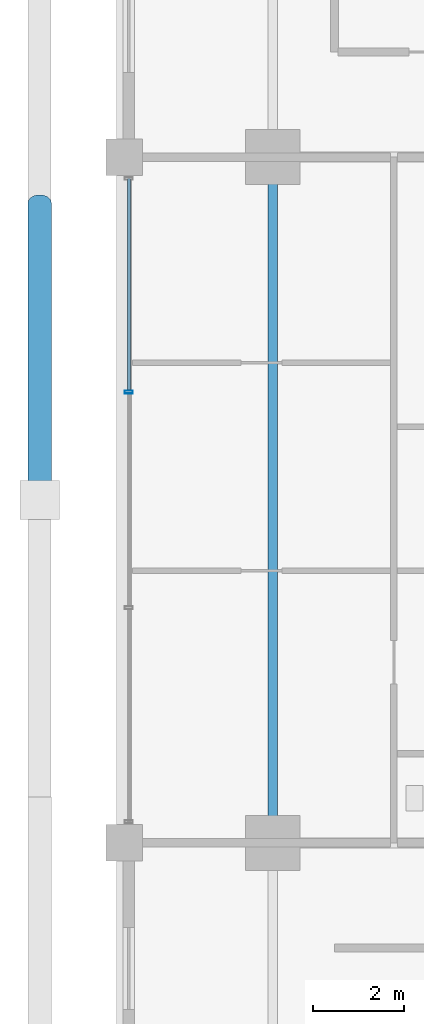
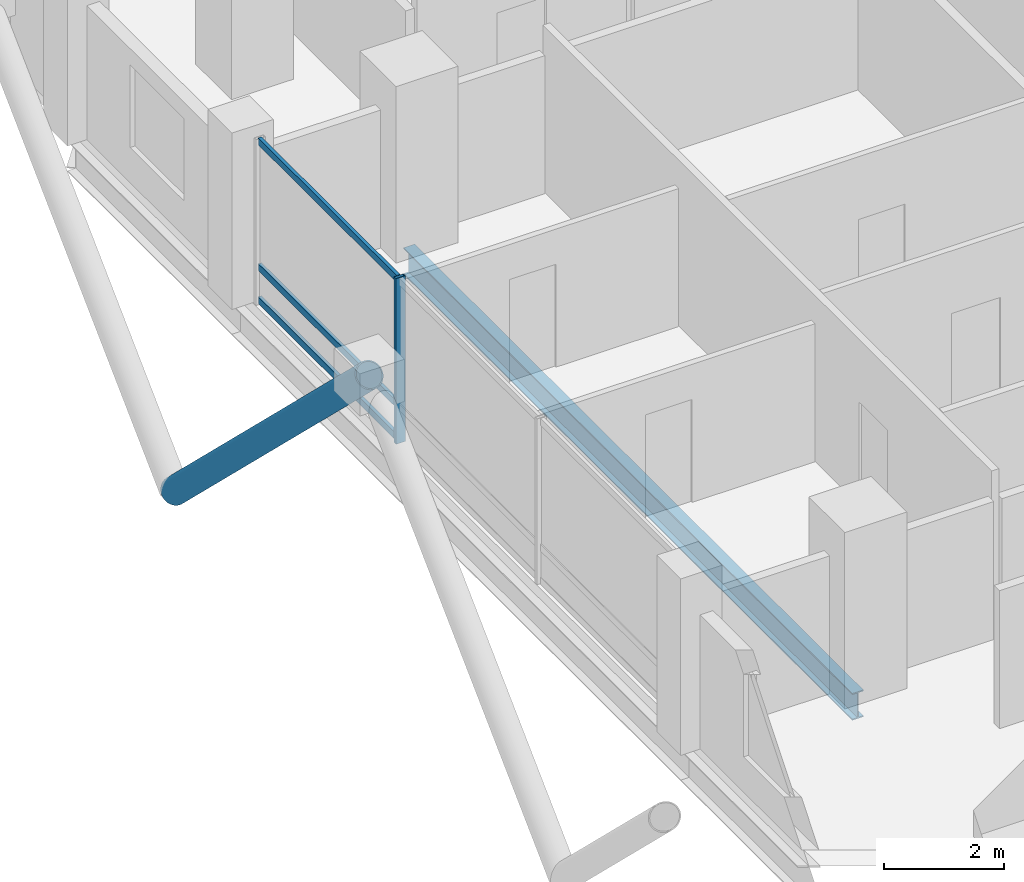
# One storey, part 6 of 22: 5 members, 1 beam, 1 element without a shape of its own.
"""IFC4 building model written with IfcOpenShell, lengths in metres."""

from ifc_helpers import new_model, si_unit, direction, frame, origin, origin_2d, place, context, subcontext, project, spatial, hollow_rectangle, hollow_circle, i_section, extrude, material, layer, layer_set, material_profile, profile_set, type_object, element, aggregate, save


model = new_model("IFC4")

# Units and contexts
model_context = context("Model", 3, precision=1e-05, world=origin(), true_north=direction((0.0, 1.0)))
body_context = subcontext(model_context, "Body", "Model", "MODEL_VIEW")
ifc_project = project(units=[si_unit("LENGTHUNIT", "METRE"), si_unit("AREAUNIT", "SQUARE_METRE"), si_unit("VOLUMEUNIT", "CUBIC_METRE"), si_unit("PLANEANGLEUNIT", "RADIAN"), si_unit("MASSUNIT", "GRAM", prefix="KILO")], contexts=[model_context])

# Site, building, storey
site_placement = place(None, origin())
site = spatial("IfcSite", under=ifc_project, at=site_placement, CompositionType="ELEMENT")
building_placement = place(site_placement, origin())
building = spatial("IfcBuilding", under=site, at=building_placement, Name="Barlavira Tower and Art Museum", CompositionType="ELEMENT")
storey_placement = place(building_placement, frame((0.0, 0.0, 129.60009765625)))
storey = spatial("IfcBuildingStorey", under=building, at=storey_placement, Name="L32", CompositionType="ELEMENT", Elevation=129.60009765625)

# Curtain wall, members
ifc_material_1 = material(Name="Low-iron coastal laminated glass", Category="glass")
ifc_layer = layer(ifc_material_1, 0.18994140625, Name="Low-iron coastal laminated glass")
ifc_layer_set = layer_set([ifc_layer], Name="Low-iron coastal laminated glass")
curtain_wall_type = type_object("IfcCurtainWallType", Name="Pale-Metal Unitised Curtain Wall Zone 2", PredefinedType="NOTDEFINED", material=ifc_layer_set)
curtain_wall_placement = place(storey_placement, origin())
curtain_wall = element("IfcCurtainWall", 1, at=curtain_wall_placement, inside=storey, type_object=curtain_wall_type, Name="L32 Curtain Wall CW2-L32-W-B3", PredefinedType="NOTDEFINED")
ifc_material_2 = material(Name="Pale anodised aluminium", Category="aluminium")
ifc_material_profile_1 = material_profile(ifc_material_2, hollow_rectangle(XDim=0.06494140625, YDim=0.179931640625, WallThickness=0.00390625, at=origin_2d()), Name="ALU-MULL 65x180x4")
ifc_profile_set_1 = profile_set([ifc_material_profile_1], Name="Pale anodised aluminium")
member_type_1 = type_object("IfcMemberType", Name="Curtain Wall Pale-Metal Mullion 65x180", PredefinedType="MULLION", material=ifc_profile_set_1)
member_1_placement = place(storey_placement, frame((-20.14990234375, 2.360107421875, 0.0), z_axis=(0.0, 0.0, 1.0), x_axis=(0.0, -1.0, 0.0)))
member_1 = element("IfcMember", 2, at=member_1_placement, type_object=member_type_1, Name="CW2-L32-W-B3 Mullion 1", PredefinedType="MULLION", context=body_context, shape_type="SweptSolid", body=[
    extrude(hollow_rectangle(XDim=0.06494140625, YDim=0.179931640625, WallThickness=0.00390625, at=origin_2d()), origin(), (0.0, 0.0, 1.0), 3.3798828125),
])
ifc_material_profile_2 = material_profile(ifc_material_2, hollow_rectangle(XDim=0.06494140625, YDim=0.139892578125, WallThickness=0.00390625, at=origin_2d()), Name="ALU-TRAN 65x140x4")
ifc_profile_set_2 = profile_set([ifc_material_profile_2], Name="Pale anodised aluminium")
member_type_2 = type_object("IfcMemberType", Name="Curtain Wall Pale-Metal Transom 65x140", PredefinedType="USERDEFINED", material=ifc_profile_set_2)
member_2_placement = place(storey_placement, frame((-20.14990234375, 7.034912109375, 0.06982421875), z_axis=(0.0, -1.0, 0.0), x_axis=(1.0, 0.0, 0.0)))
member_2 = element("IfcMember", 3, at=member_2_placement, type_object=member_type_2, Name="CW2-L32-W-B3 Transom 0.1", ObjectType="TRANSOM", PredefinedType="USERDEFINED", context=body_context, shape_type="SweptSolid", body=[
    extrude(hollow_rectangle(XDim=0.06494140625, YDim=0.139892578125, WallThickness=0.00390625, at=origin_2d()), origin(), (0.0, 0.0, 1.0), 4.6298828125),
])
member_3_placement = place(storey_placement, frame((-20.14990234375, 7.034912109375, 0.743896484375), z_axis=(0.0, -1.0, 0.0), x_axis=(1.0, 0.0, 0.0)))
member_3 = element("IfcMember", 4, at=member_3_placement, type_object=member_type_2, Name="CW2-L32-W-B3 Transom 0.2", ObjectType="TRANSOM", PredefinedType="USERDEFINED", context=body_context, shape_type="SweptSolid", body=[
    extrude(hollow_rectangle(XDim=0.06494140625, YDim=0.139892578125, WallThickness=0.00390625, at=origin_2d()), origin(), (0.0, 0.0, 1.0), 4.6298828125),
])
member_4_placement = place(storey_placement, frame((-20.14990234375, 7.034912109375, 3.309814453125), z_axis=(0.0, -1.0, 0.0), x_axis=(1.0, 0.0, 0.0)))
member_4 = element("IfcMember", 5, at=member_4_placement, type_object=member_type_2, Name="CW2-L32-W-B3 Transom 0.3", ObjectType="TRANSOM", PredefinedType="USERDEFINED", context=body_context, shape_type="SweptSolid", body=[
    extrude(hollow_rectangle(XDim=0.06494140625, YDim=0.139892578125, WallThickness=0.00390625, at=origin_2d()), origin(), (0.0, 0.0, 1.0), 4.6298828125),
])
aggregate(curtain_wall, [member_1, member_2, member_3, member_4])

# Member
ifc_material_3 = material(Name="Steel S355", Category="steel")
ifc_material_profile_3 = material_profile(ifc_material_3, hollow_circle(Radius=0.25390625, WallThickness=0.022216796875, at=origin_2d()), Name="CHS 508.0x22.2")
ifc_profile_set_3 = profile_set([ifc_material_profile_3], Name="Steel S355")
member_type_3 = type_object("IfcMemberType", Name="Pale-Metal Exoskeleton Diagrid Tube CHS 508x22 Steel S355", PredefinedType="BRACE", material=ifc_profile_set_3)
member_5_placement = place(storey_placement, frame((-22.10009765625, 6.5, -2.820068359375), z_axis=(0.0, -0.718064979499, 0.695976066555), x_axis=(1.0, 0.0, 0.0)))
element("IfcMember", 6, at=member_5_placement, inside=storey, type_object=member_type_3, Name="L32 Exoskeleton Diagrid Tube W", PredefinedType="BRACE", context=body_context, shape_type="SweptSolid", body=[
    extrude(hollow_circle(Radius=0.25390625, WallThickness=0.022216796875, at=origin_2d()), origin(), (0.0, 0.0, 1.0), 9.052001953125),
])

# Beam
ifc_material_profile_4 = material_profile(ifc_material_3, i_section(OverallWidth=0.214111328125, OverallDepth=0.549072265625, WebThickness=0.0146484375, FlangeThickness=0.023681640625, at=origin_2d()), Name="W530x138.0")
ifc_profile_set_4 = profile_set([ifc_material_profile_4], Name="Steel S355")
beam_type = type_object("IfcBeamType", Name="Zone 1 Primary Floor Girder W530x138 Steel S355", PredefinedType="BEAM", material=ifc_profile_set_4)
beam_placement = place(storey_placement, frame((-17.0, -7.5, -0.49462890625), z_axis=(0.0, 1.0, 0.0), x_axis=(-1.0, 0.0, 0.0)))
element("IfcBeam", 7, at=beam_placement, inside=storey, type_object=beam_type, Name="L32 Girder M-W2", PredefinedType="BEAM", context=body_context, shape_type="SweptSolid", body=[
    extrude(i_section(OverallWidth=0.214111328125, OverallDepth=0.549072265625, WebThickness=0.0146484375, FlangeThickness=0.023681640625, at=origin_2d()), origin(), (0.0, 0.0, 1.0), 15.0),
])

save(model, "model.ifc")
